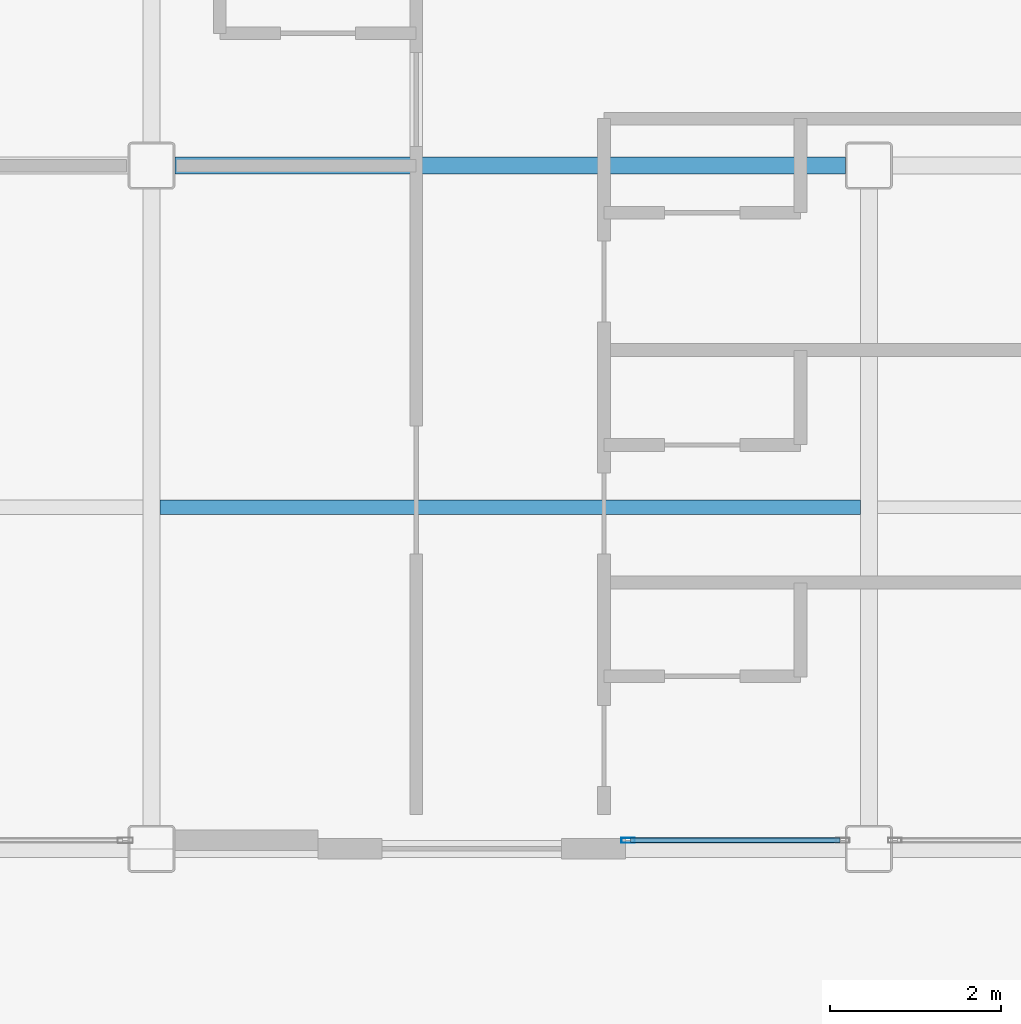
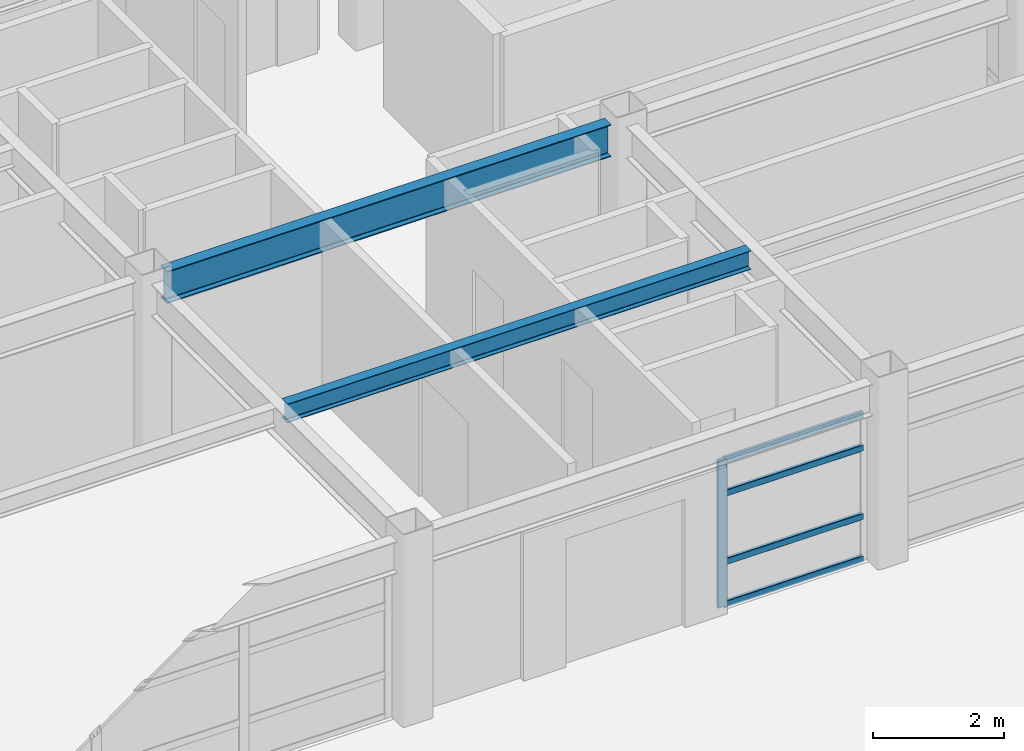
# One storey, part 5 of 36: 5 members, 2 beams, 1 element without a shape of its own.
"""IFC4 building model written with IfcOpenShell, lengths in metres."""

from ifc_helpers import new_model, si_unit, direction, frame, origin, origin_2d, place, context, subcontext, project, spatial, hollow_rectangle, i_section, extrude, material, layer, layer_set, material_profile, profile_set, type_object, element, aggregate, save


model = new_model("IFC4")

# Units and contexts
model_context = context("Model", 3, precision=1e-05, world=origin(), true_north=direction((0.0, 1.0)))
body_context = subcontext(model_context, "Body", "Model", "MODEL_VIEW")
ifc_project = project(units=[si_unit("LENGTHUNIT", "METRE"), si_unit("AREAUNIT", "SQUARE_METRE"), si_unit("VOLUMEUNIT", "CUBIC_METRE"), si_unit("PLANEANGLEUNIT", "RADIAN"), si_unit("MASSUNIT", "GRAM", prefix="KILO")], contexts=[model_context])

# Site, building, storey
site_placement = place(None, origin())
site = spatial("IfcSite", under=ifc_project, at=site_placement, CompositionType="ELEMENT")
building_placement = place(site_placement, origin())
building = spatial("IfcBuilding", under=site, at=building_placement, Name="Kazehara Bluff Congress Hotel", CompositionType="ELEMENT")
storey_placement = place(building_placement, frame((0.0, 0.0, 31.800048828125)))
storey = spatial("IfcBuildingStorey", under=building, at=storey_placement, Name="L07", CompositionType="ELEMENT", Elevation=31.800048828125)

# Curtain wall, members
ifc_material_1 = material(Name="Anodised aluminium", Category="aluminium")
ifc_layer = layer(ifc_material_1, 0.159912109375)
ifc_layer_set = layer_set([ifc_layer], Name="Anodised aluminium")
curtain_wall_type = type_object("IfcCurtainWallType", Name="TP-CW-183", PredefinedType="NOTDEFINED", material=ifc_layer_set)
curtain_wall_placement = place(storey_placement, origin())
curtain_wall = element("IfcCurtainWall", 1, at=curtain_wall_placement, inside=storey, type_object=curtain_wall_type, Name="L07 curtain wall CW-183 CW-ENC-V5-L07-15894-810", PredefinedType="NOTDEFINED")
ifc_material_2 = material(Name="Anodised aluminium", Category="aluminium")
ifc_material_profile_1 = material_profile(ifc_material_2, hollow_rectangle(XDim=0.06005859375, YDim=0.159912109375, WallThickness=0.00390625, InnerFilletRadius=0.00390625, OuterFilletRadius=0.008056640625, at=origin_2d()))
ifc_profile_set_1 = profile_set([ifc_material_profile_1], Name="Anodised aluminium")
member_type_1 = type_object("IfcMemberType", Name="TP-CWM-01", PredefinedType="MULLION", material=ifc_profile_set_1)
member_1_placement = place(storey_placement, frame((157.679931640625, 8.10009765625, 0.0), z_axis=(0.0, 0.0, 1.0), x_axis=(0.0, -1.0, 0.0)))
member_1 = element("IfcMember", 2, at=member_1_placement, type_object=member_type_1, Name="CW-183 mullion 2", PredefinedType="MULLION", context=body_context, shape_type="SweptSolid", body=[
    extrude(hollow_rectangle(XDim=0.06005859375, YDim=0.159912109375, WallThickness=0.00390625, InnerFilletRadius=0.00390625, OuterFilletRadius=0.008056640625, at=origin_2d()), origin(), (0.0, 0.0, 1.0), 2.7548828125),
])
ifc_material_3 = material(Name="Anodised aluminium", Category="aluminium")
ifc_material_profile_2 = material_profile(ifc_material_3, hollow_rectangle(XDim=0.06005859375, YDim=0.1201171875, WallThickness=0.00390625, InnerFilletRadius=0.00390625, OuterFilletRadius=0.008056640625, at=origin_2d()))
ifc_profile_set_2 = profile_set([ifc_material_profile_2], Name="Anodised aluminium")
member_type_2 = type_object("IfcMemberType", Name="TP-CWT-01", PredefinedType="USERDEFINED", material=ifc_profile_set_2)
member_2_placement = place(storey_placement, frame((160.1650390625, 8.10009765625, 0.030029296875), z_axis=(-1.0, 0.0, 0.0), x_axis=(0.0, -1.0, 0.0)))
member_2 = element("IfcMember", 3, at=member_2_placement, type_object=member_type_2, Name="CW-183 transom 1.1", ObjectType="TRANSOM", PredefinedType="USERDEFINED", context=body_context, shape_type="SweptSolid", body=[
    extrude(hollow_rectangle(XDim=0.06005859375, YDim=0.1201171875, WallThickness=0.00390625, InnerFilletRadius=0.00390625, OuterFilletRadius=0.008056640625, at=origin_2d()), origin(), (0.0, 0.0, 1.0), 2.455078125),
])
member_3_placement = place(storey_placement, frame((160.1650390625, 8.10009765625, 0.824951171875), z_axis=(-1.0, 0.0, 0.0), x_axis=(0.0, -1.0, 0.0)))
member_3 = element("IfcMember", 4, at=member_3_placement, type_object=member_type_2, Name="CW-183 transom 1.2", ObjectType="TRANSOM", PredefinedType="USERDEFINED", context=body_context, shape_type="SweptSolid", body=[
    extrude(hollow_rectangle(XDim=0.06005859375, YDim=0.1201171875, WallThickness=0.00390625, InnerFilletRadius=0.00390625, OuterFilletRadius=0.008056640625, at=origin_2d()), origin(), (0.0, 0.0, 1.0), 2.455078125),
])
member_4_placement = place(storey_placement, frame((160.1650390625, 8.10009765625, 2.10498046875), z_axis=(-1.0, 0.0, 0.0), x_axis=(0.0, -1.0, 0.0)))
member_4 = element("IfcMember", 5, at=member_4_placement, type_object=member_type_2, Name="CW-183 transom 1.3", ObjectType="TRANSOM", PredefinedType="USERDEFINED", context=body_context, shape_type="SweptSolid", body=[
    extrude(hollow_rectangle(XDim=0.06005859375, YDim=0.1201171875, WallThickness=0.00390625, InnerFilletRadius=0.00390625, OuterFilletRadius=0.008056640625, at=origin_2d()), origin(), (0.0, 0.0, 1.0), 2.455078125),
])
member_5_placement = place(storey_placement, frame((160.1650390625, 8.10009765625, 2.724853515625), z_axis=(-1.0, 0.0, 0.0), x_axis=(0.0, -1.0, 0.0)))
member_5 = element("IfcMember", 6, at=member_5_placement, type_object=member_type_2, Name="CW-183 transom 1.4", ObjectType="TRANSOM", PredefinedType="USERDEFINED", context=body_context, shape_type="SweptSolid", body=[
    extrude(hollow_rectangle(XDim=0.06005859375, YDim=0.1201171875, WallThickness=0.00390625, InnerFilletRadius=0.00390625, OuterFilletRadius=0.008056640625, at=origin_2d()), origin(), (0.0, 0.0, 1.0), 2.455078125),
])
aggregate(curtain_wall, [member_1, member_2, member_3, member_4, member_5])

# Beams
ifc_material_4 = material(Name="Steel SN490B", Category="steel")
ifc_material_profile_3 = material_profile(ifc_material_4, i_section(OverallWidth=0.199951171875, OverallDepth=0.60009765625, WebThickness=0.010986328125, FlangeThickness=0.01708984375, FilletRadius=0.012939453125, at=origin_2d()))
ifc_profile_set_3 = profile_set([ifc_material_profile_3], Name="Steel SN490B")
beam_type_1 = type_object("IfcBeamType", Name="TP-G-02", PredefinedType="BEAM", material=ifc_profile_set_3)
beam_1_placement = place(storey_placement, frame((152.375, 16.0, 3.079833984375), z_axis=(1.0, 0.0, 0.0), x_axis=(0.0, 1.0, 0.0)))
element("IfcBeam", 7, at=beam_1_placement, inside=storey, type_object=beam_type_1, Name="L07 girder G-02 40", PredefinedType="BEAM", context=body_context, shape_type="SweptSolid", body=[
    extrude(i_section(OverallWidth=0.199951171875, OverallDepth=0.60009765625, WebThickness=0.010986328125, FlangeThickness=0.01708984375, FilletRadius=0.012939453125, at=origin_2d()), origin(), (0.0, 0.0, 1.0), 7.85009765625),
])
ifc_material_5 = material(Name="Steel SN400B", Category="steel")
ifc_material_profile_4 = material_profile(ifc_material_5, i_section(OverallWidth=0.175048828125, OverallDepth=0.35009765625, WebThickness=0.007080078125, FlangeThickness=0.010986328125, FilletRadius=0.012939453125, at=origin_2d()))
ifc_profile_set_4 = profile_set([ifc_material_profile_4], Name="Steel SN400B")
beam_type_2 = type_object("IfcBeamType", Name="TP-J-02", PredefinedType="JOIST", material=ifc_profile_set_4)
beam_2_placement = place(storey_placement, frame((152.199951171875, 12.0, 3.204833984375), z_axis=(1.0, 0.0, 0.0), x_axis=(0.0, 1.0, 0.0)))
element("IfcBeam", 8, at=beam_2_placement, inside=storey, type_object=beam_type_2, Name="L07 secondary joist J-02 8", PredefinedType="JOIST", context=body_context, shape_type="SweptSolid", body=[
    extrude(i_section(OverallWidth=0.175048828125, OverallDepth=0.35009765625, WebThickness=0.007080078125, FlangeThickness=0.010986328125, FilletRadius=0.012939453125, at=origin_2d()), origin(), (0.0, 0.0, 1.0), 8.199951171875),
])

save(model, "model.ifc")
